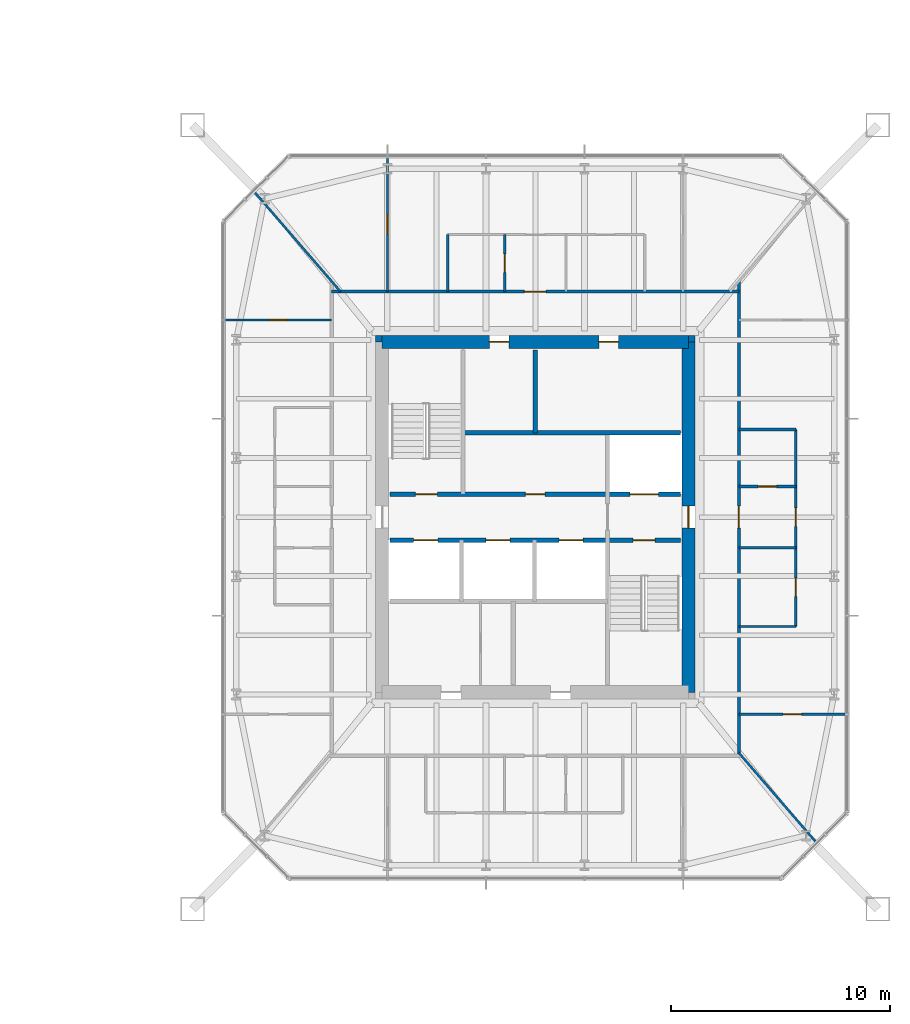
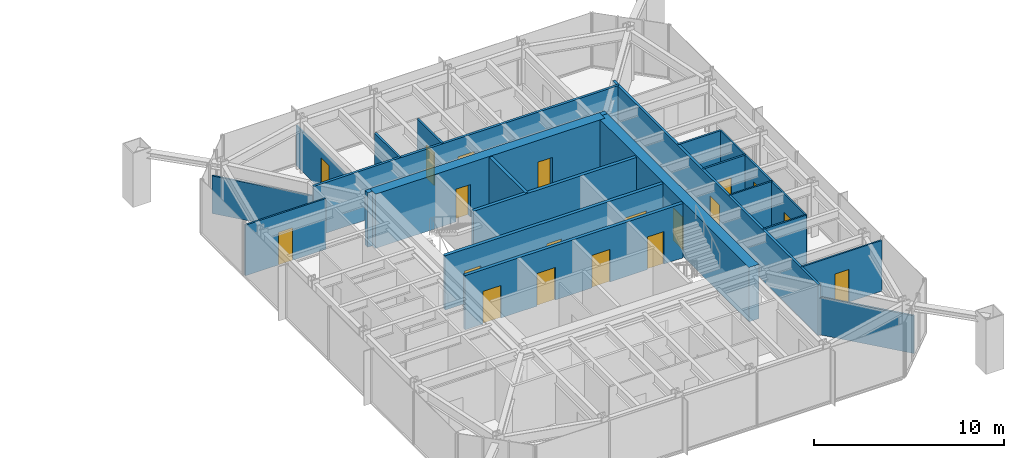
# One storey, part 18 of 25: 22 walls, 19 doors, 19 openings.
"""IFC4 building model written with IfcOpenShell, lengths in metres."""

from ifc_helpers import new_model, si_unit, direction, frame, frame_2d, origin, place, context, subcontext, project, spatial, rectangle, extrude, material, layer, layer_set, type_object, element, fill, save


model = new_model("IFC4")

# Units and contexts
model_context = context("Model", 3, precision=1e-05, world=origin(), true_north=direction((0.0, 1.0)))
body_context = subcontext(model_context, "Body", "Model", "MODEL_VIEW")
ifc_project = project(units=[si_unit("LENGTHUNIT", "METRE"), si_unit("AREAUNIT", "SQUARE_METRE"), si_unit("VOLUMEUNIT", "CUBIC_METRE"), si_unit("PLANEANGLEUNIT", "RADIAN"), si_unit("MASSUNIT", "GRAM", prefix="KILO")], contexts=[model_context])

# Site, building, storey
site_placement = place(None, origin())
site = spatial("IfcSite", under=ifc_project, at=site_placement, CompositionType="ELEMENT")
building_placement = place(site_placement, origin())
building = spatial("IfcBuilding", under=site, at=building_placement, Name="Iwan Alto Co-Living Towers", CompositionType="ELEMENT")
storey_placement = place(building_placement, frame((0.0, 0.0, 119.0)))
storey = spatial("IfcBuildingStorey", under=building, at=storey_placement, Name="L32", CompositionType="ELEMENT", Elevation=119.0)

# Wall, opening, door
ifc_material_1 = material(Name="Gypsum board")
ifc_layer_1 = layer(ifc_material_1, 0.02490234375, Name="Board", Category="Finish")
ifc_material_2 = material(Name="Steel ASTM A1003 ST33H cold-formed studs", Category="steel")
ifc_layer_2 = layer(ifc_material_2, 0.10009765625, Name="Studs", Category="Framing")
ifc_layer_3 = layer(ifc_material_1, 0.02490234375, Name="Board", Category="Finish")
ifc_layer_set_1 = layer_set([ifc_layer_1, ifc_layer_2, ifc_layer_3], Name="CORRIDOR WALL 150")
wall_type_1 = type_object("IfcWallType", Name="CORRIDOR WALL 150", PredefinedType="PARTITIONING", material=ifc_layer_set_1)
wall_1_placement = place(storey_placement, frame((53.699951171875, 10.300048828125, 0.0), z_axis=(0.0, 0.0, 1.0), x_axis=(1.0, 0.0, 0.0)))
wall_1 = element("IfcWall", 1, at=wall_1_placement, inside=storey, type_object=wall_type_1, Name="Partition L32", PredefinedType="PARTITIONING", context=body_context, shape_type="SweptSolid", body=[
    extrude(rectangle(XDim=18.60009765625, YDim=0.14990234375, at=frame_2d((9.300048828125, 0.0))), origin(), (0.0, 0.0, 1.0), 3.27001953125),
])
opening_1_placement = place(wall_1_placement, frame((8.800048828125, 0.0, 0.0)))
opening_1 = element("IfcOpeningElement", 2, at=opening_1_placement, cuts=wall_1, Name="Opening D3", PredefinedType="OPENING", context=body_context, shape_type="SweptSolid", body=[
    extrude(rectangle(XDim=1.0, YDim=2.10009765625, at=frame_2d((0.5, 1.050048828125))), frame((0.0, 0.0849609375, 0.0), z_axis=(0.0, -1.0, 0.0), x_axis=(1.0, 0.0, 0.0)), (0.0, 0.0, 1.0), 0.169921875),
])
ifc_material_3 = material(Name="Steel frame with timber leaf", Category="steel")
door_type_1 = type_object("IfcDoorType", Name="FLAT ENTRANCE DOOR FD30S 1000X2100", OperationType="SINGLE_SWING_LEFT", PredefinedType="DOOR", material=ifc_material_3)
door_1_placement = place(opening_1_placement, origin())
door_1 = element("IfcDoor", 3, at=door_1_placement, inside=storey, type_object=door_type_1, Name="Apartment foyer door L32", OperationType="SINGLE_SWING_LEFT", OverallHeight=2.10009765625, OverallWidth=1.0, PredefinedType="DOOR", context=body_context, shape_type="SweptSolid", body=[
    extrude(rectangle(XDim=1.0, YDim=2.10009765625, at=frame_2d((0.5, 1.050048828125))), frame((0.0, 0.02490234375, 0.0), z_axis=(0.0, -1.0, 0.0), x_axis=(1.0, 0.0, 0.0)), (0.0, 0.0, 1.0), 0.050048828125),
])
fill(opening_1, door_1)

wall_2_placement = place(storey_placement, frame((72.300048828125, -10.89990234375, 0.0), z_axis=(0.0, 0.0, 1.0), x_axis=(0.0, 1.0, 0.0)))
wall_2 = element("IfcWall", 4, at=wall_2_placement, inside=storey, type_object=wall_type_1, Name="Partition L32", PredefinedType="PARTITIONING", context=body_context, shape_type="SweptSolid", body=[
    extrude(rectangle(XDim=21.66796875, YDim=0.14990234375, at=frame_2d((10.833984375, 0.0))), origin(), (0.0, 0.0, 1.0), 3.27001953125),
])
opening_2_placement = place(wall_2_placement, frame((10.39990234375, 0.0, 0.0)))
opening_2 = element("IfcOpeningElement", 5, at=opening_2_placement, cuts=wall_2, Name="Opening D3", PredefinedType="OPENING", context=body_context, shape_type="SweptSolid", body=[
    extrude(rectangle(XDim=1.0, YDim=2.10009765625, at=frame_2d((0.5, 1.050048828125))), frame((0.0, 0.0849609375, 0.0), z_axis=(0.0, -1.0, 0.0), x_axis=(1.0, 0.0, 0.0)), (0.0, 0.0, 1.0), 0.169921875),
])
door_2_placement = place(opening_2_placement, frame((1.0, 0.0, 0.0), z_axis=(0.0, 0.0, 1.0), x_axis=(-1.0, 0.0, 0.0)))
door_2 = element("IfcDoor", 6, at=door_2_placement, inside=storey, type_object=door_type_1, Name="Apartment foyer door L32", OperationType="SINGLE_SWING_RIGHT", OverallHeight=2.10009765625, OverallWidth=1.0, PredefinedType="DOOR", context=body_context, shape_type="SweptSolid", body=[
    extrude(rectangle(XDim=1.0, YDim=2.10009765625, at=frame_2d((0.5, 1.050048828125))), frame((0.0, 0.02490234375, 0.0), z_axis=(0.0, -1.0, 0.0), x_axis=(1.0, 0.0, 0.0)), (0.0, 0.0, 1.0), 0.050048828125),
])
fill(opening_2, door_2)

ifc_layer_4 = layer(ifc_material_1, 0.012451171875, Name="Board", Category="Finish")
ifc_layer_5 = layer(ifc_material_2, 0.074951171875, Name="Studs", Category="Framing")
ifc_layer_6 = layer(ifc_material_1, 0.012451171875, Name="Board", Category="Finish")
ifc_layer_set_2 = layer_set([ifc_layer_4, ifc_layer_5, ifc_layer_6], Name="PARTITION 100")
wall_type_2 = type_object("IfcWallType", Name="PARTITION 100", PredefinedType="PARTITIONING", material=ifc_layer_set_2)
wall_3_placement = place(storey_placement, frame((72.300048828125, -9.0, 0.0), z_axis=(0.0, 0.0, 1.0), x_axis=(1.0, 0.0, 0.0)))
wall_3 = element("IfcWall", 7, at=wall_3_placement, inside=storey, type_object=wall_type_2, Name="Partition L32", PredefinedType="PARTITIONING", context=body_context, shape_type="SweptSolid", body=[
    extrude(rectangle(XDim=4.889892578125, YDim=0.10009765625, at=frame_2d((2.44482421875, 0.0))), origin(), (0.0, 0.0, 1.0), 3.27001953125),
])
opening_3_placement = place(wall_3_placement, frame((2.02001953125, 0.0, 0.0)))
opening_3 = element("IfcOpeningElement", 8, at=opening_3_placement, cuts=wall_3, Name="Opening D2", PredefinedType="OPENING", context=body_context, shape_type="SweptSolid", body=[
    extrude(rectangle(XDim=0.85009765625, YDim=2.10009765625, at=frame_2d((0.425048828125, 1.050048828125))), frame((0.0, 0.06005859375, 0.0), z_axis=(0.0, -1.0, 0.0), x_axis=(1.0, 0.0, 0.0)), (0.0, 0.0, 1.0), 0.1201171875),
])
ifc_material_4 = material(Name="Timber leaf in steel frame", Category="steel")
door_type_2 = type_object("IfcDoorType", Name="ROOM DOOR 850X2100", OperationType="SINGLE_SWING_LEFT", PredefinedType="DOOR", material=ifc_material_4)
door_3_placement = place(opening_3_placement, origin())
door_3 = element("IfcDoor", 9, at=door_3_placement, inside=storey, type_object=door_type_2, Name="Bedroom door L32", OperationType="SINGLE_SWING_LEFT", OverallHeight=2.10009765625, OverallWidth=0.85009765625, PredefinedType="DOOR", context=body_context, shape_type="SweptSolid", body=[
    extrude(rectangle(XDim=0.85009765625, YDim=2.10009765625, at=frame_2d((0.425048828125, 1.050048828125))), frame((0.0, 0.02490234375, 0.0), z_axis=(0.0, -1.0, 0.0), x_axis=(1.0, 0.0, 0.0)), (0.0, 0.0, 1.0), 0.050048828125),
])
fill(opening_3, door_3)

# Walls
for number, where, z_axis, x_axis, name in (
    (10, (72.300048828125, -5.0, 0.0), (0.0, 0.0, 1.0), (1.0, 0.0, 0.0), "Partition L32"),
    (11, (72.300048828125, -1.39990234375, 0.0), (0.0, 0.0, 1.0), (1.0, 0.0, 0.0), "Partition L32"),
):
    element("IfcWall", number, at=place(storey_placement, frame(where, z_axis=z_axis, x_axis=x_axis)), inside=storey, type_object=wall_type_2, Name=name, PredefinedType="PARTITIONING", context=body_context, shape_type="SweptSolid", body=[
        extrude(rectangle(XDim=2.599853515625, YDim=0.10009765625, at=frame_2d((1.2998046875, 0.0))), origin(), (0.0, 0.0, 1.0), 3.27001953125),
    ])

# Wall, opening, door
wall_4_placement = place(storey_placement, frame((48.81005859375, 9.0, 0.0), z_axis=(0.0, 0.0, 1.0), x_axis=(1.0, 0.0, 0.0)))
wall_4 = element("IfcWall", 12, at=wall_4_placement, inside=storey, type_object=wall_type_2, Name="Partition L32", PredefinedType="PARTITIONING", context=body_context, shape_type="SweptSolid", body=[
    extrude(rectangle(XDim=4.889892578125, YDim=0.10009765625, at=frame_2d((2.44482421875, 0.0))), origin(), (0.0, 0.0, 1.0), 3.27001953125),
])
opening_4_placement = place(wall_4_placement, frame((2.02001953125, 0.0, 0.0)))
opening_4 = element("IfcOpeningElement", 13, at=opening_4_placement, cuts=wall_4, Name="Opening D2", PredefinedType="OPENING", context=body_context, shape_type="SweptSolid", body=[
    extrude(rectangle(XDim=0.85009765625, YDim=2.10009765625, at=frame_2d((0.425048828125, 1.050048828125))), frame((0.0, 0.06005859375, 0.0), z_axis=(0.0, -1.0, 0.0), x_axis=(1.0, 0.0, 0.0)), (0.0, 0.0, 1.0), 0.1201171875),
])
door_4_placement = place(opening_4_placement, frame((0.85009765625, 0.0, 0.0), z_axis=(0.0, 0.0, 1.0), x_axis=(-1.0, 0.0, 0.0)))
door_4 = element("IfcDoor", 14, at=door_4_placement, inside=storey, type_object=door_type_2, Name="Bedroom door L32", OperationType="SINGLE_SWING_LEFT", OverallHeight=2.10009765625, OverallWidth=0.85009765625, PredefinedType="DOOR", context=body_context, shape_type="SweptSolid", body=[
    extrude(rectangle(XDim=0.85009765625, YDim=2.10009765625, at=frame_2d((0.425048828125, 1.050048828125))), frame((0.0, 0.02490234375, 0.0), z_axis=(0.0, -1.0, 0.0), x_axis=(1.0, 0.0, 0.0)), (0.0, 0.0, 1.0), 0.050048828125),
])
fill(opening_4, door_4)

# Wall, openings, doors
wall_5_placement = place(storey_placement, frame((74.89990234375, -5.0, 0.0), z_axis=(0.0, 0.0, 1.0), x_axis=(0.0, 1.0, 0.0)))
wall_5 = element("IfcWall", 15, at=wall_5_placement, inside=storey, type_object=wall_type_2, Name="Partition L32", PredefinedType="PARTITIONING", context=body_context, shape_type="SweptSolid", body=[
    extrude(rectangle(XDim=9.0, YDim=0.10009765625, at=frame_2d((4.5, 0.0))), origin(), (0.0, 0.0, 1.0), 3.27001953125),
])
opening_5_placement = place(wall_5_placement, frame((1.375, 0.0, 0.0)))
opening_5 = element("IfcOpeningElement", 16, at=opening_5_placement, cuts=wall_5, Name="Opening D2", PredefinedType="OPENING", context=body_context, shape_type="SweptSolid", body=[
    extrude(rectangle(XDim=0.85009765625, YDim=2.10009765625, at=frame_2d((0.425048828125, 1.050048828125))), frame((0.0, 0.06005859375, 0.0), z_axis=(0.0, -1.0, 0.0), x_axis=(1.0, 0.0, 0.0)), (0.0, 0.0, 1.0), 0.1201171875),
])
opening_6_placement = place(wall_5_placement, frame((4.574951171875, 0.0, 0.0)))
opening_6 = element("IfcOpeningElement", 17, at=opening_6_placement, cuts=wall_5, Name="Opening D2", PredefinedType="OPENING", context=body_context, shape_type="SweptSolid", body=[
    extrude(rectangle(XDim=0.85009765625, YDim=2.10009765625, at=frame_2d((0.425048828125, 1.050048828125))), frame((0.0, 0.06005859375, 0.0), z_axis=(0.0, -1.0, 0.0), x_axis=(1.0, 0.0, 0.0)), (0.0, 0.0, 1.0), 0.1201171875),
])
door_5_placement = place(opening_5_placement, frame((0.85009765625, 0.0, 0.0), z_axis=(0.0, 0.0, 1.0), x_axis=(-1.0, 0.0, 0.0)))
door_5 = element("IfcDoor", 18, at=door_5_placement, inside=storey, type_object=door_type_2, Name="Kitchen door L32", OperationType="SINGLE_SWING_RIGHT", OverallHeight=2.10009765625, OverallWidth=0.85009765625, PredefinedType="DOOR", context=body_context, shape_type="SweptSolid", body=[
    extrude(rectangle(XDim=0.85009765625, YDim=2.10009765625, at=frame_2d((0.425048828125, 1.050048828125))), frame((0.0, 0.02490234375, 0.0), z_axis=(0.0, -1.0, 0.0), x_axis=(1.0, 0.0, 0.0)), (0.0, 0.0, 1.0), 0.050048828125),
])
fill(opening_5, door_5)
door_6_placement = place(opening_6_placement, frame((0.85009765625, 0.0, 0.0), z_axis=(0.0, 0.0, 1.0), x_axis=(-1.0, 0.0, 0.0)))
door_6 = element("IfcDoor", 19, at=door_6_placement, inside=storey, type_object=door_type_2, Name="Apartment foyer door L32", OperationType="SINGLE_SWING_RIGHT", OverallHeight=2.10009765625, OverallWidth=0.85009765625, PredefinedType="DOOR", context=body_context, shape_type="SweptSolid", body=[
    extrude(rectangle(XDim=0.85009765625, YDim=2.10009765625, at=frame_2d((0.425048828125, 1.050048828125))), frame((0.0, 0.02490234375, 0.0), z_axis=(0.0, -1.0, 0.0), x_axis=(1.0, 0.0, 0.0)), (0.0, 0.0, 1.0), 0.050048828125),
])
fill(opening_6, door_6)

# Wall, opening, door
wall_6_placement = place(storey_placement, frame((56.25, 10.300048828125, 0.0), z_axis=(0.0, 0.0, 1.0), x_axis=(0.0, 1.0, 0.0)))
wall_6 = element("IfcWall", 20, at=wall_6_placement, inside=storey, type_object=wall_type_2, Name="Partition L32", PredefinedType="PARTITIONING", context=body_context, shape_type="SweptSolid", body=[
    extrude(rectangle(XDim=6.139892578125, YDim=0.10009765625, at=frame_2d((3.06982421875, 0.0))), origin(), (0.0, 0.0, 1.0), 2.586669921875),
])
opening_7_placement = place(wall_6_placement, frame((2.64501953125, 0.0, 0.0)))
opening_7 = element("IfcOpeningElement", 21, at=opening_7_placement, cuts=wall_6, Name="Opening D2", PredefinedType="OPENING", context=body_context, shape_type="SweptSolid", body=[
    extrude(rectangle(XDim=0.85009765625, YDim=2.10009765625, at=frame_2d((0.425048828125, 1.050048828125))), frame((0.0, 0.06005859375, 0.0), z_axis=(0.0, -1.0, 0.0), x_axis=(1.0, 0.0, 0.0)), (0.0, 0.0, 1.0), 0.1201171875),
])
door_7_placement = place(opening_7_placement, frame((0.85009765625, 0.0, 0.0), z_axis=(0.0, 0.0, 1.0), x_axis=(-1.0, 0.0, 0.0)))
door_7 = element("IfcDoor", 22, at=door_7_placement, inside=storey, type_object=door_type_2, Name="Bedroom door L32", OperationType="SINGLE_SWING_RIGHT", OverallHeight=2.10009765625, OverallWidth=0.85009765625, PredefinedType="DOOR", context=body_context, shape_type="SweptSolid", body=[
    extrude(rectangle(XDim=0.85009765625, YDim=2.10009765625, at=frame_2d((0.425048828125, 1.050048828125))), frame((0.0, 0.02490234375, 0.0), z_axis=(0.0, -1.0, 0.0), x_axis=(1.0, 0.0, 0.0)), (0.0, 0.0, 1.0), 0.050048828125),
])
fill(opening_7, door_7)

# Walls
wall_7_placement = place(storey_placement, frame((54.10498046875, 10.300048828125, 0.0), z_axis=(0.0, 0.0, 1.0), x_axis=(-0.653606109319, 0.756834892074, 0.0)))
element("IfcWall", 23, at=wall_7_placement, inside=storey, type_object=wall_type_2, Name="Partition L32", PredefinedType="PARTITIONING", context=body_context, shape_type="SweptSolid", body=[
    extrude(rectangle(XDim=6.0048828125, YDim=0.10009765625, at=frame_2d((3.00244140625, 0.0))), origin(), (0.0, 0.0, 1.0), 2.42919921875),
])
wall_8_placement = place(storey_placement, frame((75.821044921875, -14.843994140625, 0.0), z_axis=(0.0, 0.0, 1.0), x_axis=(-0.653713095188, 0.756742485381, 0.0)))
element("IfcWall", 24, at=wall_8_placement, inside=storey, type_object=wall_type_2, Name="Partition L32", PredefinedType="PARTITIONING", context=body_context, shape_type="SweptSolid", body=[
    extrude(rectangle(XDim=5.38623046875, YDim=0.10009765625, at=frame_2d((2.693115234375, 0.0))), origin(), (0.0, 0.0, 1.0), 2.42919921875),
])

# Wall, openings, doors
ifc_material_5 = material(Name="Concrete f'c 70 MPa", Category="concrete")
ifc_layer_7 = layer(ifc_material_5, 0.199951171875)
ifc_layer_set_3 = layer_set([ifc_layer_7], Name="SHAFT WALL 200")
wall_type_3 = type_object("IfcWallType", Name="SHAFT WALL 200", PredefinedType="SOLIDWALL", material=ifc_layer_set_3)
wall_9_placement = place(storey_placement, frame((56.360107421875, -1.050048828125, 0.0), z_axis=(0.0, 0.0, 1.0), x_axis=(1.0, 0.0, 0.0)))
wall_9 = element("IfcWall", 25, at=wall_9_placement, inside=storey, type_object=wall_type_3, Name="Shaft wall L32", PredefinedType="SOLIDWALL", context=body_context, shape_type="SweptSolid", body=[
    extrude(rectangle(XDim=13.27978515625, YDim=0.199951171875, at=frame_2d((6.639892578125, 0.0))), origin(), (0.0, 0.0, 1.0), 3.5),
])
opening_8_placement = place(wall_9_placement, frame((11.110107421875, 0.0, 0.0)))
opening_8 = element("IfcOpeningElement", 26, at=opening_8_placement, cuts=wall_9, Name="Opening D5", PredefinedType="OPENING", context=body_context, shape_type="SweptSolid", body=[
    extrude(rectangle(XDim=1.0, YDim=2.10009765625, at=frame_2d((0.5, 1.050048828125))), frame((0.0, 0.10986328125, 0.0), z_axis=(0.0, -1.0, 0.0), x_axis=(1.0, 0.0, 0.0)), (0.0, 0.0, 1.0), 0.219970703125),
])
opening_9_placement = place(wall_9_placement, frame((1.0869140625, 0.0, 0.0)))
opening_9 = element("IfcOpeningElement", 27, at=opening_9_placement, cuts=wall_9, Name="Opening LD", PredefinedType="OPENING", context=body_context, shape_type="SweptSolid", body=[
    extrude(rectangle(XDim=1.10009765625, YDim=2.10009765625, at=frame_2d((0.550048828125, 1.050048828125))), frame((0.0, 0.10986328125, 0.0), z_axis=(0.0, -1.0, 0.0), x_axis=(1.0, 0.0, 0.0)), (0.0, 0.0, 1.0), 0.219970703125),
])
opening_10_placement = place(wall_9_placement, frame((4.389892578125, 0.0, 0.0)))
opening_10 = element("IfcOpeningElement", 28, at=opening_10_placement, cuts=wall_9, Name="Opening LD", PredefinedType="OPENING", context=body_context, shape_type="SweptSolid", body=[
    extrude(rectangle(XDim=1.10009765625, YDim=2.10009765625, at=frame_2d((0.550048828125, 1.050048828125))), frame((0.0, 0.10986328125, 0.0), z_axis=(0.0, -1.0, 0.0), x_axis=(1.0, 0.0, 0.0)), (0.0, 0.0, 1.0), 0.219970703125),
])
opening_11_placement = place(wall_9_placement, frame((7.72412109375, 0.0, 0.0)))
opening_11 = element("IfcOpeningElement", 29, at=opening_11_placement, cuts=wall_9, Name="Opening LD", PredefinedType="OPENING", context=body_context, shape_type="SweptSolid", body=[
    extrude(rectangle(XDim=1.10009765625, YDim=2.10009765625, at=frame_2d((0.550048828125, 1.050048828125))), frame((0.0, 0.10986328125, 0.0), z_axis=(0.0, -1.0, 0.0), x_axis=(1.0, 0.0, 0.0)), (0.0, 0.0, 1.0), 0.219970703125),
])
ifc_material_6 = material(Name="Steel frame with timber leaf", Category="steel")
door_type_3 = type_object("IfcDoorType", Name="LIFT LANDING DOOR 1100X2100", OperationType="DOUBLE_DOOR_SLIDING", PredefinedType="DOOR", material=ifc_material_6)
door_8_placement = place(opening_9_placement, origin())
door_8 = element("IfcDoor", 30, at=door_8_placement, inside=storey, type_object=door_type_3, Name="Lift P5-1 landing door L32", OperationType="DOUBLE_DOOR_SLIDING", OverallHeight=2.10009765625, OverallWidth=1.10009765625, PredefinedType="DOOR", context=body_context, shape_type="SweptSolid", body=[
    extrude(rectangle(XDim=1.10009765625, YDim=2.10009765625, at=frame_2d((0.550048828125, 1.050048828125))), frame((0.0, 0.02490234375, 0.0), z_axis=(0.0, -1.0, 0.0), x_axis=(1.0, 0.0, 0.0)), (0.0, 0.0, 1.0), 0.050048828125),
])
fill(opening_9, door_8)
door_9_placement = place(opening_10_placement, origin())
door_9 = element("IfcDoor", 31, at=door_9_placement, inside=storey, type_object=door_type_3, Name="Lift P5-2 landing door L32", OperationType="DOUBLE_DOOR_SLIDING", OverallHeight=2.10009765625, OverallWidth=1.10009765625, PredefinedType="DOOR", context=body_context, shape_type="SweptSolid", body=[
    extrude(rectangle(XDim=1.10009765625, YDim=2.10009765625, at=frame_2d((0.550048828125, 1.050048828125))), frame((0.0, 0.02490234375, 0.0), z_axis=(0.0, -1.0, 0.0), x_axis=(1.0, 0.0, 0.0)), (0.0, 0.0, 1.0), 0.050048828125),
])
fill(opening_10, door_9)
door_10_placement = place(opening_11_placement, origin())
door_10 = element("IfcDoor", 32, at=door_10_placement, inside=storey, type_object=door_type_3, Name="Lift P6-3 landing door L32", OperationType="DOUBLE_DOOR_SLIDING", OverallHeight=2.10009765625, OverallWidth=1.10009765625, PredefinedType="DOOR", context=body_context, shape_type="SweptSolid", body=[
    extrude(rectangle(XDim=1.10009765625, YDim=2.10009765625, at=frame_2d((0.550048828125, 1.050048828125))), frame((0.0, 0.02490234375, 0.0), z_axis=(0.0, -1.0, 0.0), x_axis=(1.0, 0.0, 0.0)), (0.0, 0.0, 1.0), 0.050048828125),
])
fill(opening_11, door_10)
ifc_material_7 = material(Name="Steel frame with timber leaf", Category="steel")
door_type_4 = type_object("IfcDoorType", Name="STAIR DOOR FD120S 1000X2100", OperationType="SINGLE_SWING_LEFT", PredefinedType="DOOR", material=ifc_material_7)
door_11_placement = place(opening_8_placement, frame((1.0, 0.0, 0.0), z_axis=(0.0, 0.0, 1.0), x_axis=(-1.0, 0.0, 0.0)))
door_11 = element("IfcDoor", 33, at=door_11_placement, inside=storey, type_object=door_type_4, Name="Stair S2 door L32", OperationType="SINGLE_SWING_RIGHT", OverallHeight=2.10009765625, OverallWidth=1.0, PredefinedType="DOOR", context=body_context, shape_type="SweptSolid", body=[
    extrude(rectangle(XDim=1.0, YDim=2.10009765625, at=frame_2d((0.5, 1.050048828125))), frame((0.0, 0.02490234375, 0.0), z_axis=(0.0, -1.0, 0.0), x_axis=(1.0, 0.0, 0.0)), (0.0, 0.0, 1.0), 0.050048828125),
])
fill(opening_8, door_11)

wall_10_placement = place(storey_placement, frame((56.360107421875, 1.050048828125, 0.0), z_axis=(0.0, 0.0, 1.0), x_axis=(1.0, 0.0, 0.0)))
wall_10 = element("IfcWall", 34, at=wall_10_placement, inside=storey, type_object=wall_type_3, Name="Shaft wall L32", PredefinedType="SOLIDWALL", context=body_context, shape_type="SweptSolid", body=[
    extrude(rectangle(XDim=13.27978515625, YDim=0.199951171875, at=frame_2d((6.639892578125, 0.0))), origin(), (0.0, 0.0, 1.0), 3.5),
])
opening_12_placement = place(wall_10_placement, frame((1.169921875, 0.0, 0.0)))
opening_12 = element("IfcOpeningElement", 35, at=opening_12_placement, cuts=wall_10, Name="Opening D5", PredefinedType="OPENING", context=body_context, shape_type="SweptSolid", body=[
    extrude(rectangle(XDim=1.0, YDim=2.10009765625, at=frame_2d((0.5, 1.050048828125))), frame((0.0, 0.10986328125, 0.0), z_axis=(0.0, -1.0, 0.0), x_axis=(1.0, 0.0, 0.0)), (0.0, 0.0, 1.0), 0.219970703125),
])
opening_13_placement = place(wall_10_placement, frame((6.18994140625, 0.0, 0.0)))
opening_13 = element("IfcOpeningElement", 36, at=opening_13_placement, cuts=wall_10, Name="Opening D8", PredefinedType="OPENING", context=body_context, shape_type="SweptSolid", body=[
    extrude(rectangle(XDim=0.89990234375, YDim=2.10009765625, at=frame_2d((0.449951171875, 1.050048828125))), frame((0.0, 0.10986328125, 0.0), z_axis=(0.0, -1.0, 0.0), x_axis=(1.0, 0.0, 0.0)), (0.0, 0.0, 1.0), 0.219970703125),
])
opening_14_placement = place(wall_10_placement, frame((10.9599609375, 0.0, 0.0)))
opening_14 = element("IfcOpeningElement", 37, at=opening_14_placement, cuts=wall_10, Name="Opening LD2", PredefinedType="OPENING", context=body_context, shape_type="SweptSolid", body=[
    extrude(rectangle(XDim=1.300048828125, YDim=2.10009765625, at=frame_2d((0.64990234375, 1.050048828125))), frame((0.0, 0.10986328125, 0.0), z_axis=(0.0, -1.0, 0.0), x_axis=(1.0, 0.0, 0.0)), (0.0, 0.0, 1.0), 0.219970703125),
])
ifc_material_8 = material(Name="Steel frame with timber leaf", Category="steel")
door_type_5 = type_object("IfcDoorType", Name="LIFT LANDING DOOR 1300X2100", OperationType="SLIDING_TO_LEFT", PredefinedType="DOOR", material=ifc_material_8)
door_12_placement = place(opening_14_placement, origin())
door_12 = element("IfcDoor", 38, at=door_12_placement, inside=storey, type_object=door_type_5, Name="Lift FL2 landing door L32", OperationType="SLIDING_TO_LEFT", OverallHeight=2.10009765625, OverallWidth=1.300048828125, PredefinedType="DOOR", context=body_context, shape_type="SweptSolid", body=[
    extrude(rectangle(XDim=1.300048828125, YDim=2.10009765625, at=frame_2d((0.64990234375, 1.050048828125))), frame((0.0, 0.02490234375, 0.0), z_axis=(0.0, -1.0, 0.0), x_axis=(1.0, 0.0, 0.0)), (0.0, 0.0, 1.0), 0.050048828125),
])
fill(opening_14, door_12)
ifc_material_9 = material(Name="Steel frame with timber leaf", Category="steel")
door_type_6 = type_object("IfcDoorType", Name="RISER DOOR FD120 900X2100", OperationType="SINGLE_SWING_LEFT", PredefinedType="DOOR", material=ifc_material_9)
door_13_placement = place(opening_13_placement, origin())
door_13 = element("IfcDoor", 39, at=door_13_placement, inside=storey, type_object=door_type_6, Name="Riser room door L32", OperationType="SINGLE_SWING_LEFT", OverallHeight=2.10009765625, OverallWidth=0.89990234375, PredefinedType="DOOR", context=body_context, shape_type="SweptSolid", body=[
    extrude(rectangle(XDim=0.89990234375, YDim=2.10009765625, at=frame_2d((0.449951171875, 1.050048828125))), frame((0.0, 0.02490234375, 0.0), z_axis=(0.0, -1.0, 0.0), x_axis=(1.0, 0.0, 0.0)), (0.0, 0.0, 1.0), 0.050048828125),
])
fill(opening_13, door_13)
door_14_placement = place(opening_12_placement, origin())
door_14 = element("IfcDoor", 40, at=door_14_placement, inside=storey, type_object=door_type_4, Name="Stair S1 door L32", OperationType="SINGLE_SWING_RIGHT", OverallHeight=2.10009765625, OverallWidth=1.0, PredefinedType="DOOR", context=body_context, shape_type="SweptSolid", body=[
    extrude(rectangle(XDim=1.0, YDim=2.10009765625, at=frame_2d((0.5, 1.050048828125))), frame((0.0, 0.02490234375, 0.0), z_axis=(0.0, -1.0, 0.0), x_axis=(1.0, 0.0, 0.0)), (0.0, 0.0, 1.0), 0.050048828125),
])
fill(opening_12, door_14)

# Walls
wall_11_placement = place(storey_placement, frame((59.699951171875, 3.85009765625, 0.0), z_axis=(0.0, 0.0, 1.0), x_axis=(1.0, 0.0, 0.0)))
element("IfcWall", 41, at=wall_11_placement, inside=storey, type_object=wall_type_3, Name="Shaft wall L32", PredefinedType="SOLIDWALL", context=body_context, shape_type="SweptSolid", body=[
    extrude(rectangle(XDim=9.93994140625, YDim=0.199951171875, at=frame_2d((4.969970703125, 0.0))), origin(), (0.0, 0.0, 1.0), 3.5),
])
wall_12_placement = place(storey_placement, frame((63.0, 3.85009765625, 0.0), z_axis=(0.0, 0.0, 1.0), x_axis=(0.0, 1.0, 0.0)))
element("IfcWall", 42, at=wall_12_placement, inside=storey, type_object=wall_type_3, Name="Shaft wall L32", PredefinedType="SOLIDWALL", context=body_context, shape_type="SweptSolid", body=[
    extrude(rectangle(XDim=3.789794921875, YDim=0.199951171875, at=frame_2d((1.89501953125, 0.0))), origin(), (0.0, 0.0, 1.0), 3.5),
])
ifc_material_10 = material(Name="Concrete f'c 70 MPa", Category="concrete")
ifc_layer_8 = layer(ifc_material_10, 0.300048828125)
ifc_layer_set_4 = layer_set([ifc_layer_8], Name="T2 CORE CORNER FILL 300")
wall_type_4 = type_object("IfcWallType", Name="T2 CORE CORNER FILL 300", PredefinedType="SOLIDWALL", material=ifc_layer_set_4)
for number, where, z_axis, x_axis, name in (
    (43, (70.0, 8.14990234375, 0.0), (0.0, 0.0, 1.0), (1.0, 0.0, 0.0), "T2 core corner NE L32"),
    (44, (55.699951171875, 8.14990234375, 0.0), (0.0, 0.0, 1.0), (1.0, 0.0, 0.0), "T2 core corner NW L32"),
):
    element("IfcWall", number, at=place(storey_placement, frame(where, z_axis=z_axis, x_axis=x_axis)), inside=storey, type_object=wall_type_4, Name=name, PredefinedType="SOLIDWALL", context=body_context, shape_type="SweptSolid", body=[
        extrude(rectangle(XDim=0.300048828125, YDim=0.300048828125, at=frame_2d((0.14990234375, 0.0))), origin(), (0.0, 0.0, 1.0), 3.5),
    ])

# Wall, openings, doors
ifc_material_11 = material(Name="Concrete f'c 70 MPa", Category="concrete")
ifc_layer_9 = layer(ifc_material_11, 0.60009765625)
ifc_layer_set_5 = layer_set([ifc_layer_9], Name="T2 CORE WALL 600")
wall_type_5 = type_object("IfcWallType", Name="T2 CORE WALL 600", PredefinedType="SHEAR", material=ifc_layer_set_5)
wall_13_placement = place(storey_placement, frame((70.0, 8.0, 0.0), z_axis=(0.0, 0.0, 1.0), x_axis=(-1.0, 0.0, 0.0)))
wall_13 = element("IfcWall", 45, at=wall_13_placement, inside=storey, type_object=wall_type_5, Name="T2 core wall N L32", PredefinedType="SHEAR", context=body_context, shape_type="SweptSolid", body=[
    extrude(rectangle(XDim=14.0, YDim=0.60009765625, at=frame_2d((7.0, 0.0))), origin(), (0.0, 0.0, 1.0), 3.5),
])
opening_15_placement = place(wall_13_placement, frame((8.199951171875, 0.0, 0.0)))
opening_15 = element("IfcOpeningElement", 46, at=opening_15_placement, cuts=wall_13, Name="Opening D8", PredefinedType="OPENING", context=body_context, shape_type="SweptSolid", body=[
    extrude(rectangle(XDim=0.89990234375, YDim=2.10009765625, at=frame_2d((0.449951171875, 1.050048828125))), frame((0.0, 0.31005859375, 0.0), z_axis=(0.0, -1.0, 0.0), x_axis=(1.0, 0.0, 0.0)), (0.0, 0.0, 1.0), 0.6201171875),
])
opening_16_placement = place(wall_13_placement, frame((3.199951171875, 0.0, 0.0)))
opening_16 = element("IfcOpeningElement", 47, at=opening_16_placement, cuts=wall_13, Name="Opening D8", PredefinedType="OPENING", context=body_context, shape_type="SweptSolid", body=[
    extrude(rectangle(XDim=0.89990234375, YDim=2.10009765625, at=frame_2d((0.449951171875, 1.050048828125))), frame((0.0, 0.31005859375, 0.0), z_axis=(0.0, -1.0, 0.0), x_axis=(1.0, 0.0, 0.0)), (0.0, 0.0, 1.0), 0.6201171875),
])
door_15_placement = place(opening_15_placement, origin())
door_15 = element("IfcDoor", 48, at=door_15_placement, inside=storey, type_object=door_type_6, Name="Electrical riser core door L32", OperationType="SINGLE_SWING_RIGHT", OverallHeight=2.10009765625, OverallWidth=0.89990234375, PredefinedType="DOOR", context=body_context, shape_type="SweptSolid", body=[
    extrude(rectangle(XDim=0.89990234375, YDim=2.10009765625, at=frame_2d((0.449951171875, 1.050048828125))), frame((0.0, 0.02490234375, 0.0), z_axis=(0.0, -1.0, 0.0), x_axis=(1.0, 0.0, 0.0)), (0.0, 0.0, 1.0), 0.050048828125),
])
fill(opening_15, door_15)
door_16_placement = place(opening_16_placement, origin())
door_16 = element("IfcDoor", 49, at=door_16_placement, inside=storey, type_object=door_type_6, Name="Water and drainage riser core door L32", OperationType="SINGLE_SWING_RIGHT", OverallHeight=2.10009765625, OverallWidth=0.89990234375, PredefinedType="DOOR", context=body_context, shape_type="SweptSolid", body=[
    extrude(rectangle(XDim=0.89990234375, YDim=2.10009765625, at=frame_2d((0.449951171875, 1.050048828125))), frame((0.0, 0.02490234375, 0.0), z_axis=(0.0, -1.0, 0.0), x_axis=(1.0, 0.0, 0.0)), (0.0, 0.0, 1.0), 0.050048828125),
])
fill(opening_16, door_16)

# Wall, opening, door
wall_14_placement = place(storey_placement, frame((70.0, -8.0, 0.0), z_axis=(0.0, 0.0, 1.0), x_axis=(0.0, 1.0, 0.0)))
wall_14 = element("IfcWall", 50, at=wall_14_placement, inside=storey, type_object=wall_type_5, Name="T2 core wall E L32", PredefinedType="SHEAR", context=body_context, shape_type="SweptSolid", body=[
    extrude(rectangle(XDim=16.0, YDim=0.60009765625, at=frame_2d((8.0, 0.0))), origin(), (0.0, 0.0, 1.0), 3.5),
])
opening_17_placement = place(wall_14_placement, frame((7.5, 0.0, 0.0)))
opening_17 = element("IfcOpeningElement", 51, at=opening_17_placement, cuts=wall_14, Name="Opening D7", PredefinedType="OPENING", context=body_context, shape_type="SweptSolid", body=[
    extrude(rectangle(XDim=1.0, YDim=2.10009765625, at=frame_2d((0.5, 1.050048828125))), frame((0.0, 0.31005859375, 0.0), z_axis=(0.0, -1.0, 0.0), x_axis=(1.0, 0.0, 0.0)), (0.0, 0.0, 1.0), 0.6201171875),
])
ifc_material_12 = material(Name="Steel frame with timber leaf", Category="steel")
door_type_7 = type_object("IfcDoorType", Name="CORE DOOR FD120S 1000X2100", OperationType="SINGLE_SWING_LEFT", PredefinedType="DOOR", material=ifc_material_12)
door_17_placement = place(opening_17_placement, origin())
door_17 = element("IfcDoor", 52, at=door_17_placement, inside=storey, type_object=door_type_7, Name="Firefighting lobby core door L32", OperationType="SINGLE_SWING_LEFT", OverallHeight=2.10009765625, OverallWidth=1.0, PredefinedType="DOOR", context=body_context, shape_type="SweptSolid", body=[
    extrude(rectangle(XDim=1.0, YDim=2.10009765625, at=frame_2d((0.5, 1.050048828125))), frame((0.0, 0.02490234375, 0.0), z_axis=(0.0, -1.0, 0.0), x_axis=(1.0, 0.0, 0.0)), (0.0, 0.0, 1.0), 0.050048828125),
])
fill(opening_17, door_17)

ifc_material_13 = material(Name="Cement board")
ifc_layer_10 = layer(ifc_material_13, 0.012451171875, Name="Board", Category="Finish")
ifc_layer_11 = layer(ifc_material_2, 0.094970703125, Name="Studs", Category="Framing")
ifc_layer_12 = layer(ifc_material_13, 0.012451171875, Name="Board", Category="Finish")
ifc_layer_set_6 = layer_set([ifc_layer_10, ifc_layer_11, ifc_layer_12], Name="WET AREA PARTITION 120")
wall_type_6 = type_object("IfcWallType", Name="WET AREA PARTITION 120", PredefinedType="PARTITIONING", material=ifc_layer_set_6)
wall_15_placement = place(storey_placement, frame((72.300048828125, 1.39990234375, 0.0), z_axis=(0.0, 0.0, 1.0), x_axis=(1.0, 0.0, 0.0)))
wall_15 = element("IfcWall", 53, at=wall_15_placement, inside=storey, type_object=wall_type_6, Name="Partition L32", PredefinedType="PARTITIONING", context=body_context, shape_type="SweptSolid", body=[
    extrude(rectangle(XDim=2.599853515625, YDim=0.1201171875, at=frame_2d((1.2998046875, 0.0))), origin(), (0.0, 0.0, 1.0), 3.27001953125),
])
opening_18_placement = place(wall_15_placement, frame((0.875, 0.0, 0.0)))
opening_18 = element("IfcOpeningElement", 54, at=opening_18_placement, cuts=wall_15, Name="Opening D2", PredefinedType="OPENING", context=body_context, shape_type="SweptSolid", body=[
    extrude(rectangle(XDim=0.85009765625, YDim=2.10009765625, at=frame_2d((0.425048828125, 1.050048828125))), frame((0.0, 0.070068359375, 0.0), z_axis=(0.0, -1.0, 0.0), x_axis=(1.0, 0.0, 0.0)), (0.0, 0.0, 1.0), 0.14013671875),
])
door_18_placement = place(opening_18_placement, origin())
door_18 = element("IfcDoor", 55, at=door_18_placement, inside=storey, type_object=door_type_2, Name="Bathroom door L32", OperationType="SINGLE_SWING_LEFT", OverallHeight=2.10009765625, OverallWidth=0.85009765625, PredefinedType="DOOR", context=body_context, shape_type="SweptSolid", body=[
    extrude(rectangle(XDim=0.85009765625, YDim=2.10009765625, at=frame_2d((0.425048828125, 1.050048828125))), frame((0.0, 0.02490234375, 0.0), z_axis=(0.0, -1.0, 0.0), x_axis=(1.0, 0.0, 0.0)), (0.0, 0.0, 1.0), 0.050048828125),
])
fill(opening_18, door_18)

# Wall
wall_16_placement = place(storey_placement, frame((72.300048828125, 4.0, 0.0), z_axis=(0.0, 0.0, 1.0), x_axis=(1.0, 0.0, 0.0)))
element("IfcWall", 56, at=wall_16_placement, inside=storey, type_object=wall_type_6, Name="Partition L32", PredefinedType="PARTITIONING", context=body_context, shape_type="SweptSolid", body=[
    extrude(rectangle(XDim=2.599853515625, YDim=0.1201171875, at=frame_2d((1.2998046875, 0.0))), origin(), (0.0, 0.0, 1.0), 3.27001953125),
])

# Wall, opening, door
wall_17_placement = place(storey_placement, frame((61.60009765625, 10.300048828125, 0.0), z_axis=(0.0, 0.0, 1.0), x_axis=(0.0, 1.0, 0.0)))
wall_17 = element("IfcWall", 57, at=wall_17_placement, inside=storey, type_object=wall_type_6, Name="Partition L32", PredefinedType="PARTITIONING", context=body_context, shape_type="SweptSolid", body=[
    extrude(rectangle(XDim=2.599853515625, YDim=0.1201171875, at=frame_2d((1.2998046875, 0.0))), origin(), (0.0, 0.0, 1.0), 3.27001953125),
])
opening_19_placement = place(wall_17_placement, frame((0.875, 0.0, 0.0)))
opening_19 = element("IfcOpeningElement", 58, at=opening_19_placement, cuts=wall_17, Name="Opening D2", PredefinedType="OPENING", context=body_context, shape_type="SweptSolid", body=[
    extrude(rectangle(XDim=0.85009765625, YDim=2.10009765625, at=frame_2d((0.425048828125, 1.050048828125))), frame((0.0, 0.070068359375, 0.0), z_axis=(0.0, -1.0, 0.0), x_axis=(1.0, 0.0, 0.0)), (0.0, 0.0, 1.0), 0.14013671875),
])
door_19_placement = place(opening_19_placement, origin())
door_19 = element("IfcDoor", 59, at=door_19_placement, inside=storey, type_object=door_type_2, Name="Bathroom door L32", OperationType="SINGLE_SWING_LEFT", OverallHeight=2.10009765625, OverallWidth=0.85009765625, PredefinedType="DOOR", context=body_context, shape_type="SweptSolid", body=[
    extrude(rectangle(XDim=0.85009765625, YDim=2.10009765625, at=frame_2d((0.425048828125, 1.050048828125))), frame((0.0, 0.02490234375, 0.0), z_axis=(0.0, -1.0, 0.0), x_axis=(1.0, 0.0, 0.0)), (0.0, 0.0, 1.0), 0.050048828125),
])
fill(opening_19, door_19)

# Wall
wall_18_placement = place(storey_placement, frame((59.0, 10.300048828125, 0.0), z_axis=(0.0, 0.0, 1.0), x_axis=(0.0, 1.0, 0.0)))
element("IfcWall", 60, at=wall_18_placement, inside=storey, type_object=wall_type_6, Name="Partition L32", PredefinedType="PARTITIONING", context=body_context, shape_type="SweptSolid", body=[
    extrude(rectangle(XDim=2.599853515625, YDim=0.1201171875, at=frame_2d((1.2998046875, 0.0))), origin(), (0.0, 0.0, 1.0), 3.27001953125),
])

save(model, "model.ifc")
